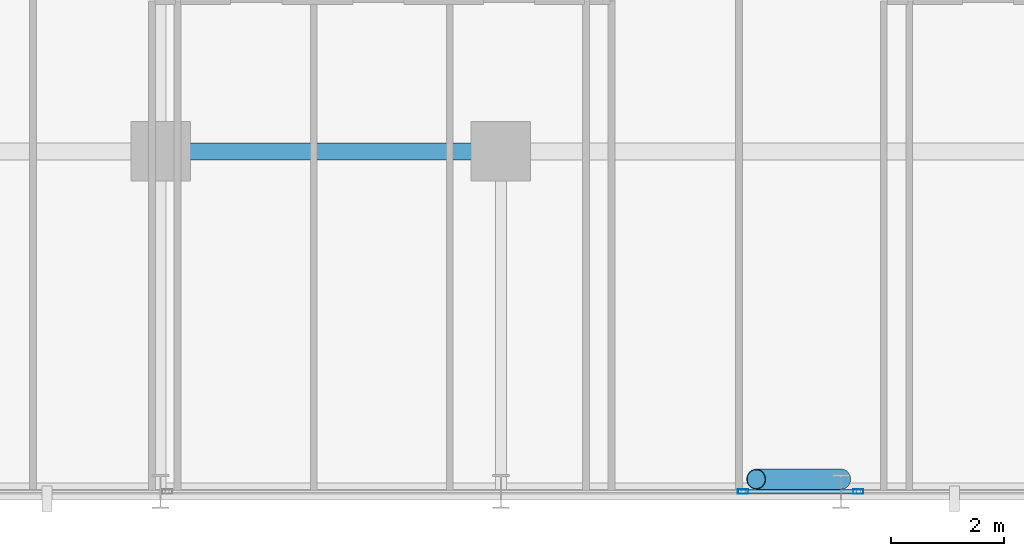
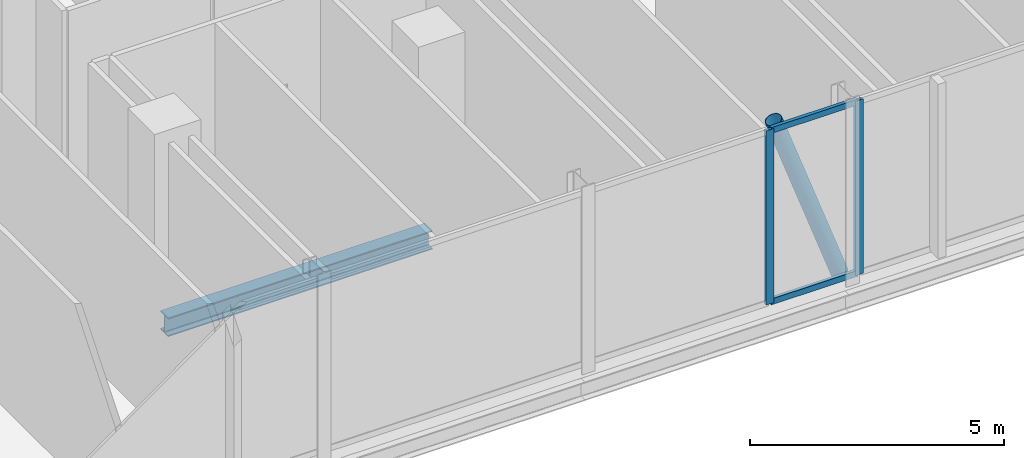
# One storey, part 8 of 30: 5 members, 1 beam, 2 elements without a shape of their own.
"""IFC4 building model written with IfcOpenShell, lengths in metres."""

from ifc_helpers import new_model, si_unit, direction, frame, origin, origin_2d, place, context, subcontext, project, spatial, hollow_rectangle, hollow_circle, i_section, extrude, material, layer, layer_set, material_profile, profile_set, type_object, element, aggregate, save


model = new_model("IFC4")

# Units and contexts
model_context = context("Model", 3, precision=1e-05, world=origin(), true_north=direction((0.0, 1.0)))
body_context = subcontext(model_context, "Body", "Model", "MODEL_VIEW")
ifc_project = project(units=[si_unit("LENGTHUNIT", "METRE"), si_unit("AREAUNIT", "SQUARE_METRE"), si_unit("VOLUMEUNIT", "CUBIC_METRE"), si_unit("PLANEANGLEUNIT", "RADIAN"), si_unit("MASSUNIT", "GRAM", prefix="KILO")], contexts=[model_context])

# Site, building, storey
site_placement = place(None, origin())
site = spatial("IfcSite", under=ifc_project, at=site_placement, CompositionType="ELEMENT")
building_placement = place(site_placement, origin())
building = spatial("IfcBuilding", under=site, at=building_placement, Name="Keshet Zoharim Tower", CompositionType="ELEMENT")
storey_placement = place(building_placement, frame((0.0, 0.0, 86.39990234375)))
storey = spatial("IfcBuildingStorey", under=building, at=storey_placement, Name="L20", CompositionType="ELEMENT", Elevation=86.39990234375)

# Beam
ifc_material_1 = material(Name="Steel S355", Category="steel")
ifc_material_profile_1 = material_profile(ifc_material_1, i_section(OverallWidth=0.300048828125, OverallDepth=0.449951171875, WebThickness=0.013916015625, FlangeThickness=0.02587890625, FilletRadius=0.027099609375, at=origin_2d()), Name="HEB450")
ifc_profile_set_1 = profile_set([ifc_material_profile_1], Name="Steel S355")
beam_type = type_object("IfcBeamType", Name="BM-WEB-HB450", PredefinedType="BEAM", material=ifc_profile_set_1)
beam_placement = place(storey_placement, frame((33.0, 6.699951171875, -0.539794921875), z_axis=(1.0, 0.0, 0.0), x_axis=(0.0, 1.0, 0.0)))
element("IfcBeam", 1, at=beam_placement, inside=storey, type_object=beam_type, Name="L20 Primary Girder X-007", PredefinedType="BEAM", context=body_context, shape_type="SweptSolid", body=[
    extrude(i_section(OverallWidth=0.300048828125, OverallDepth=0.449951171875, WebThickness=0.013916015625, FlangeThickness=0.02587890625, FilletRadius=0.027099609375, at=origin_2d()), origin(), (0.0, 0.0, 1.0), 6.0),
])

# Curtain wall, member
ifc_material_2 = material(Name="Aluminium 6063-T6", Category="aluminium")
ifc_layer = layer(ifc_material_2, 0.159912109375)
ifc_layer_set = layer_set([ifc_layer], Name="Aluminium 6063-T6")
curtain_wall_type = type_object("IfcCurtainWallType", Name="CW-SYS-03", PredefinedType="NOTDEFINED", material=ifc_layer_set)
curtain_wall_1_placement = place(storey_placement, origin())
curtain_wall_1 = element("IfcCurtainWall", 2, at=curtain_wall_1_placement, inside=storey, type_object=curtain_wall_type, Name="L20 Unitised Curtain Wall 03", PredefinedType="NOTDEFINED")
ifc_material_profile_2 = material_profile(ifc_material_2, hollow_rectangle(XDim=0.080078125, YDim=0.179931640625, WallThickness=0.00439453125, at=origin_2d()), Name="MUL-80x180")
ifc_profile_set_2 = profile_set([ifc_material_profile_2], Name="Aluminium 6063-T6")
member_type_1 = type_object("IfcMemberType", Name="CWM-M18", PredefinedType="MULLION", material=ifc_profile_set_2)
member_1_placement = place(storey_placement, frame((45.302490234375, 0.699951171875, 0.0), z_axis=(0.0, 0.0, 1.0), x_axis=(0.0, -1.0, 0.0)))
member_1 = element("IfcMember", 3, at=member_1_placement, type_object=member_type_1, Name="CW-03 mullion 2", PredefinedType="MULLION", context=body_context, shape_type="SweptSolid", body=[
    extrude(hollow_rectangle(XDim=0.080078125, YDim=0.179931640625, WallThickness=0.00439453125, at=origin_2d()), origin(), (0.0, 0.0, 1.0), 4.18505859375),
])
aggregate(curtain_wall_1, [member_1])

# Curtain wall, members
curtain_wall_2_placement = place(storey_placement, origin())
curtain_wall_2 = element("IfcCurtainWall", 4, at=curtain_wall_2_placement, inside=storey, type_object=curtain_wall_type, Name="L20 Unitised Curtain Wall 03 Part 2", PredefinedType="NOTDEFINED")
member_2_placement = place(storey_placement, frame((43.267578125, 0.699951171875, 0.0), z_axis=(0.0, 0.0, 1.0), x_axis=(0.0, -1.0, 0.0)))
member_2 = element("IfcMember", 5, at=member_2_placement, type_object=member_type_1, Name="CW-03 mullion 2", PredefinedType="MULLION", context=body_context, shape_type="SweptSolid", body=[
    extrude(hollow_rectangle(XDim=0.080078125, YDim=0.179931640625, WallThickness=0.00439453125, at=origin_2d()), origin(), (0.0, 0.0, 1.0), 4.18505859375),
])
ifc_material_profile_3 = material_profile(ifc_material_2, hollow_rectangle(XDim=0.080078125, YDim=0.139892578125, WallThickness=0.00390625, at=origin_2d()), Name="TRN-80x140")
ifc_profile_set_3 = profile_set([ifc_material_profile_3], Name="Aluminium 6063-T6")
member_type_2 = type_object("IfcMemberType", Name="CWT-T14", PredefinedType="USERDEFINED", material=ifc_profile_set_3)
member_3_placement = place(storey_placement, frame((45.267333984375, 0.699951171875, 0.03515625), z_axis=(-1.0, 0.0, 0.0), x_axis=(0.0, -1.0, 0.0)))
member_3 = element("IfcMember", 6, at=member_3_placement, type_object=member_type_2, Name="CW-03 transom 1.1", ObjectType="TRANSOM", PredefinedType="USERDEFINED", context=body_context, shape_type="SweptSolid", body=[
    extrude(hollow_rectangle(XDim=0.080078125, YDim=0.139892578125, WallThickness=0.00390625, at=origin_2d()), origin(), (0.0, 0.0, 1.0), 1.96484375),
])
member_4_placement = place(storey_placement, frame((45.267333984375, 0.699951171875, 4.150146484375), z_axis=(-1.0, 0.0, 0.0), x_axis=(0.0, -1.0, 0.0)))
member_4 = element("IfcMember", 7, at=member_4_placement, type_object=member_type_2, Name="CW-03 transom 1.2", ObjectType="TRANSOM", PredefinedType="USERDEFINED", context=body_context, shape_type="SweptSolid", body=[
    extrude(hollow_rectangle(XDim=0.080078125, YDim=0.139892578125, WallThickness=0.00390625, at=origin_2d()), origin(), (0.0, 0.0, 1.0), 1.96484375),
])
aggregate(curtain_wall_2, [member_2, member_3, member_4])

# Member
ifc_material_profile_4 = material_profile(ifc_material_1, hollow_circle(Radius=0.177734375, WallThickness=0.012451171875, at=origin_2d()), Name="CHS355x12.5")
ifc_profile_set_4 = profile_set([ifc_material_profile_4], Name="Steel S355")
member_type_3 = type_object("IfcMemberType", Name="MB-BR-C355", PredefinedType="BRACE", material=ifc_profile_set_4)
member_5_placement = place(storey_placement, frame((45.0, 0.919921875, 0.0), z_axis=(-0.337400697546, 0.0, 0.941361125868), x_axis=(0.0, -1.0, 0.0)))
element("IfcMember", 8, at=member_5_placement, inside=storey, type_object=member_type_3, Name="L20 Perimeter Tube Brace 04", PredefinedType="BRACE", context=body_context, shape_type="SweptSolid", body=[
    extrude(hollow_circle(Radius=0.177734375, WallThickness=0.012451171875, at=origin_2d()), origin(), (0.0, 0.0, 1.0), 4.44580078125),
])

save(model, "model.ifc")
